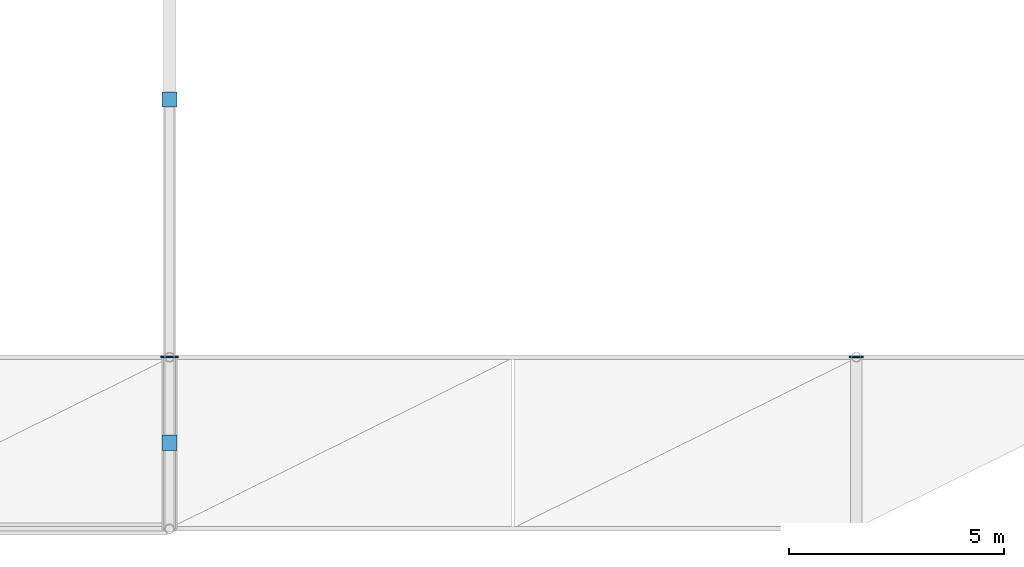
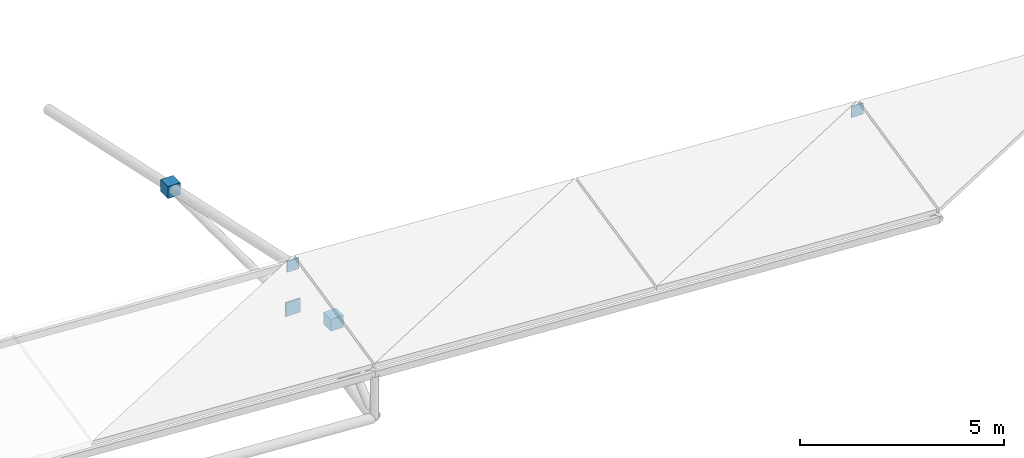
# One storey, part 24 of 27: 5 discrete accessories.
"""IFC4 building model written with IfcOpenShell, lengths in metres."""

from ifc_helpers import new_model, si_unit, direction, frame, origin, origin_2d, place, context, subcontext, project, spatial, rectangle, extrude, material, type_object, element, save


model = new_model("IFC4")

# Units and contexts
model_context = context("Model", 3, precision=1e-05, world=origin(), true_north=direction((0.0, 1.0)))
body_context = subcontext(model_context, "Body", "Model", "MODEL_VIEW")
ifc_project = project(units=[si_unit("LENGTHUNIT", "METRE"), si_unit("AREAUNIT", "SQUARE_METRE"), si_unit("VOLUMEUNIT", "CUBIC_METRE"), si_unit("PLANEANGLEUNIT", "RADIAN"), si_unit("MASSUNIT", "GRAM", prefix="KILO")], contexts=[model_context])

# Site, building, storey
site_placement = place(None, origin())
site = spatial("IfcSite", under=ifc_project, at=site_placement, CompositionType="ELEMENT")
building_placement = place(site_placement, origin())
building = spatial("IfcBuilding", under=site, at=building_placement, Name="Drelvath Fold Interchange", CompositionType="ELEMENT")
storey_placement = place(building_placement, frame((0.0, 0.0, 19.800048828125)))
storey = spatial("IfcBuildingStorey", under=building, at=storey_placement, Name="L04", CompositionType="ELEMENT", Elevation=19.800048828125)

# Discrete accessories
ifc_material = material(Name="Steel ASTM A572 Grade 50", Category="steel")
discrete_accessory_type = type_object("IfcDiscreteAccessoryType", Name="AC-CAP380", PredefinedType="BRACKET", material=ifc_material)
discrete_accessory_1_placement = place(storey_placement, frame((134.0, 47.0048828125, 0.1279296875), z_axis=(0.0, 0.0, 1.0), x_axis=(1.0, 0.0, 0.0)))
element("IfcDiscreteAccessory", 1, at=discrete_accessory_1_placement, inside=storey, type_object=discrete_accessory_type, Name="Welded hollow member end cap 220", PredefinedType="BRACKET", context=body_context, shape_type="SweptSolid", body=[
    extrude(rectangle(XDim=0.416015625, YDim=0.0400390625, at=origin_2d()), origin(), (0.0, 0.0, 1.0), 0.416015625),
])
discrete_accessory_2_placement = place(storey_placement, frame((134.0, 47.0048828125, 1.439453125), z_axis=(0.0, 0.0, 1.0), x_axis=(1.0, 0.0, 0.0)))
element("IfcDiscreteAccessory", 2, at=discrete_accessory_2_placement, inside=storey, type_object=discrete_accessory_type, Name="Welded hollow member end cap 221", PredefinedType="BRACKET", context=body_context, shape_type="SweptSolid", body=[
    extrude(rectangle(XDim=0.3330078125, YDim=0.0400390625, at=origin_2d()), origin(), (0.0, 0.0, 1.0), 0.3330078125),
])
for number, where, z_axis, x_axis, name in (
    (3, (134.0, 45.00390625, 0.992431640625), (0.0, 0.0, 1.0), (1.0, 0.0, 0.0), "Welded hollow member end cap 222"),
    (4, (134.0, 53.0048828125, 0.117431640625), (0.0, 0.0, 1.0), (1.0, 0.0, 0.0), "Welded hollow member end cap 224"),
):
    element("IfcDiscreteAccessory", number, at=place(storey_placement, frame(where, z_axis=z_axis, x_axis=x_axis)), inside=storey, type_object=discrete_accessory_type, Name=name, PredefinedType="BRACKET", context=body_context, shape_type="SweptSolid", body=[
        extrude(rectangle(XDim=0.35888671875, YDim=0.35888671875, at=origin_2d()), origin(), (0.0, 0.0, 1.0), 0.35888671875),
    ])
discrete_accessory_3_placement = place(storey_placement, frame((150.0, 47.0048828125, 0.4765625), z_axis=(0.0, 0.0, 1.0), x_axis=(1.0, 0.0, 0.0)))
element("IfcDiscreteAccessory", 5, at=discrete_accessory_3_placement, inside=storey, type_object=discrete_accessory_type, Name="Welded hollow member end cap 237", PredefinedType="BRACKET", context=body_context, shape_type="SweptSolid", body=[
    extrude(rectangle(XDim=0.3330078125, YDim=0.0400390625, at=origin_2d()), origin(), (0.0, 0.0, 1.0), 0.3330078125),
])

save(model, "model.ifc")
